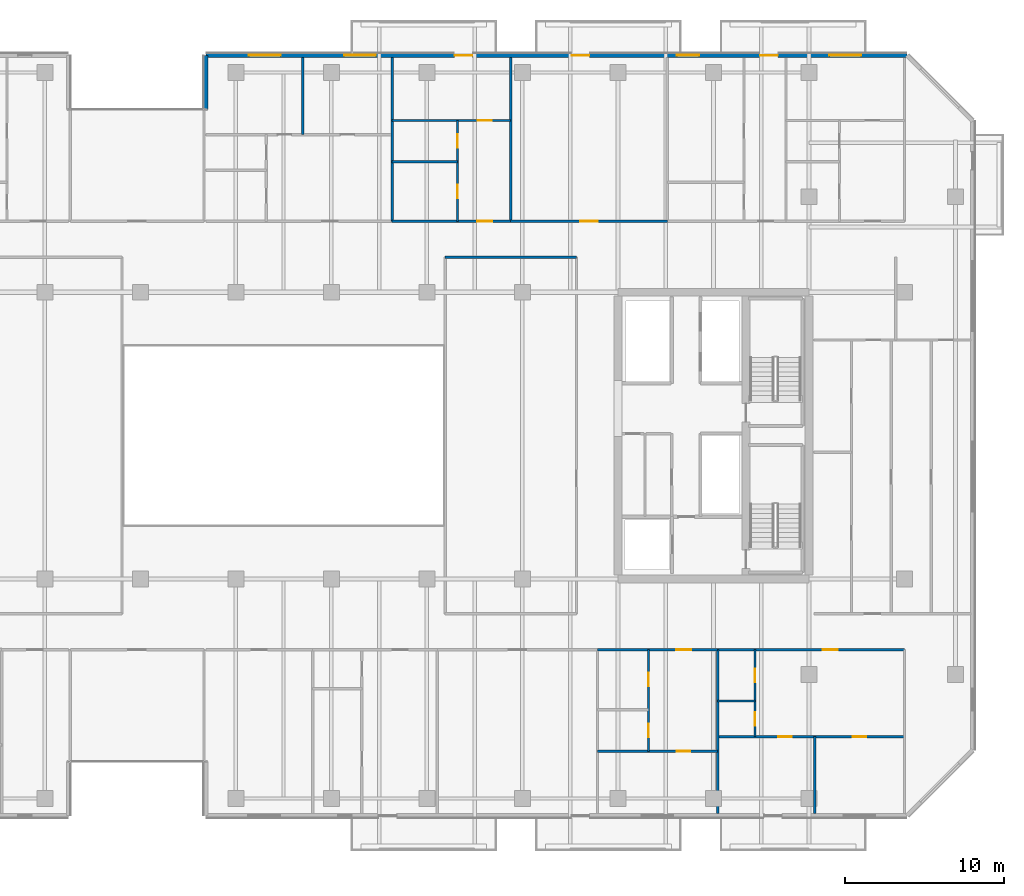
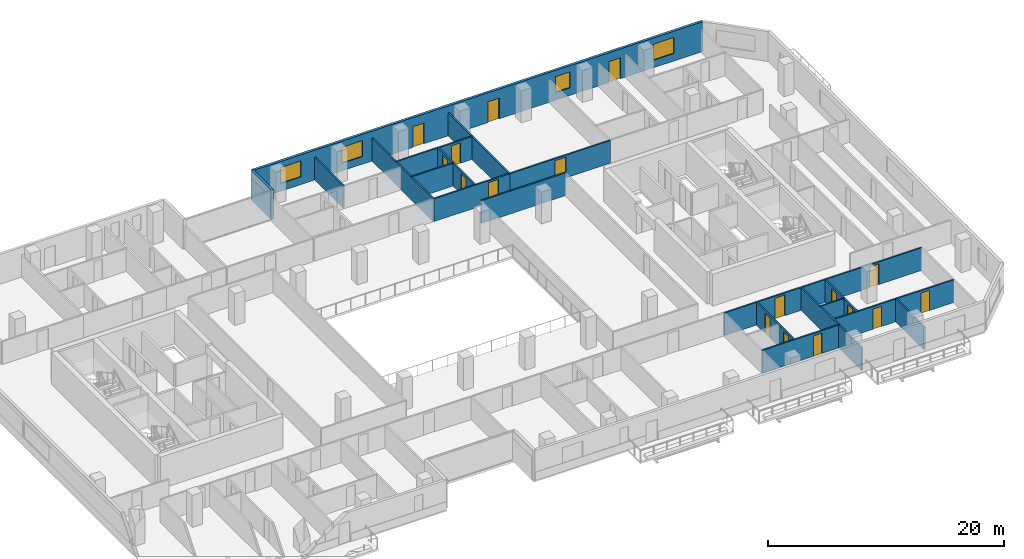
# One storey, part 14 of 23: 20 walls, 17 doors, 4 windows, 21 openings.
"""IFC4 building model written with IfcOpenShell, lengths in metres."""

from ifc_helpers import new_model, si_unit, direction, frame, frame_2d, origin, place, context, subcontext, project, spatial, rectangle, extrude, material, layer, layer_set, type_object, element, fill, save


model = new_model("IFC4")

# Units and contexts
model_context = context("Model", 3, precision=1e-05, world=origin(), true_north=direction((0.0, 1.0)))
body_context = subcontext(model_context, "Body", "Model", "MODEL_VIEW")
ifc_project = project(units=[si_unit("LENGTHUNIT", "METRE"), si_unit("AREAUNIT", "SQUARE_METRE"), si_unit("VOLUMEUNIT", "CUBIC_METRE"), si_unit("PLANEANGLEUNIT", "RADIAN"), si_unit("MASSUNIT", "GRAM", prefix="KILO")], contexts=[model_context])

# Site, building, storey
site_placement = place(None, origin())
site = spatial("IfcSite", under=ifc_project, at=site_placement, CompositionType="ELEMENT")
building_placement = place(site_placement, origin())
building = spatial("IfcBuilding", under=site, at=building_placement, Name="Tanjung Sevakor Pilgrim Tower", CompositionType="ELEMENT")
storey_placement = place(building_placement, frame((0.0, 0.0, 82.169921875)))
storey = spatial("IfcBuildingStorey", under=building, at=storey_placement, Name="L22", CompositionType="ELEMENT", Elevation=82.169921875)

# Walls
ifc_material_1 = material(Name="Concrete C40/50", Category="concrete")
ifc_layer_1 = layer(ifc_material_1, 0.14990234375)
ifc_layer_set_1 = layer_set([ifc_layer_1], Name="WT-COMP-150")
wall_type_1 = type_object("IfcWallType", Name="WT-COMP-150", PredefinedType="SOLIDWALL", material=ifc_layer_set_1)
wall_1_placement = place(storey_placement, frame((67.14990234375, 44.800048828125, 0.0), z_axis=(0.0, 0.0, 1.0), x_axis=(1.0, 0.0, 0.0)))
element("IfcWall", 1, at=wall_1_placement, inside=storey, type_object=wall_type_1, Name="L22 Partition IW-L22-030", PredefinedType="SOLIDWALL", context=body_context, shape_type="SweptSolid", body=[
    extrude(rectangle(XDim=8.25, YDim=0.14990234375, at=frame_2d((4.125, 0.0))), origin(), (0.0, 0.0, 1.0), 2.35009765625),
])
wall_2_placement = place(storey_placement, frame((84.261474609375, 9.85009765625, 0.0), z_axis=(0.0, 0.0, 1.0), x_axis=(0.0, 1.0, 0.0)))
element("IfcWall", 2, at=wall_2_placement, inside=storey, type_object=wall_type_1, Name="L22 Partition IW-L22-069", PredefinedType="SOLIDWALL", context=body_context, shape_type="SweptSolid", body=[
    extrude(rectangle(XDim=10.2998046875, YDim=0.14990234375, at=frame_2d((5.14990234375, 0.0))), origin(), (0.0, 0.0, 1.0), 2.35009765625),
])

# Wall, opening, door
wall_3_placement = place(storey_placement, frame((76.715087890625, 20.14990234375, 0.0), z_axis=(0.0, 0.0, 1.0), x_axis=(1.0, 0.0, 0.0)))
wall_3 = element("IfcWall", 3, at=wall_3_placement, inside=storey, type_object=wall_type_1, Name="L22 Partition IW-L22-073", PredefinedType="SOLIDWALL", context=body_context, shape_type="SweptSolid", body=[
    extrude(rectangle(XDim=7.54638671875, YDim=0.14990234375, at=frame_2d((3.773193359375, 0.0))), origin(), (0.0, 0.0, 1.0), 2.35009765625),
])
opening_1_placement = place(wall_3_placement, frame((4.9404296875, 0.0, 0.0)))
opening_1 = element("IfcOpeningElement", 4, at=opening_1_placement, cuts=wall_3, Name="Opening ID-FD2", PredefinedType="OPENING", context=body_context, shape_type="SweptSolid", body=[
    extrude(rectangle(XDim=0.949951171875, YDim=2.14990234375, at=frame_2d((0.47509765625, 1.074951171875))), frame((0.0, 0.0849609375, 0.0), z_axis=(0.0, -1.0, 0.0), x_axis=(1.0, 0.0, 0.0)), (0.0, 0.0, 1.0), 0.169921875),
])
ifc_material_2 = material(Name="Fire-Rated Timber", Category="wood")
door_type_1 = type_object("IfcDoorType", Name="DT-FIRE-950", OperationType="NOTDEFINED", PredefinedType="DOOR", material=ifc_material_2)
door_1_placement = place(opening_1_placement, origin())
door_1 = element("IfcDoor", 5, at=door_1_placement, inside=storey, type_object=door_type_1, Name="Residence Entrance", OperationType="SINGLE_SWING_RIGHT", OverallHeight=2.14990234375, OverallWidth=0.949951171875, PredefinedType="DOOR", context=body_context, shape_type="SweptSolid", body=[
    extrude(rectangle(XDim=0.949951171875, YDim=2.14990234375, at=frame_2d((0.47509765625, 1.074951171875))), frame((0.0, 0.02490234375, 0.0), z_axis=(0.0, -1.0, 0.0), x_axis=(1.0, 0.0, 0.0)), (0.0, 0.0, 1.0), 0.050048828125),
])
fill(opening_1, door_1)

wall_4_placement = place(storey_placement, frame((84.261474609375, 20.14990234375, 0.0), z_axis=(0.0, 0.0, 1.0), x_axis=(1.0, 0.0, 0.0)))
wall_4 = element("IfcWall", 6, at=wall_4_placement, inside=storey, type_object=wall_type_1, Name="L22 Partition IW-L22-078", PredefinedType="SOLIDWALL", context=body_context, shape_type="SweptSolid", body=[
    extrude(rectangle(XDim=11.738525390625, YDim=0.14990234375, at=frame_2d((5.869140625, 0.0))), origin(), (0.0, 0.0, 1.0), 2.35009765625),
])
opening_2_placement = place(wall_4_placement, frame((6.609375, 0.0, 0.0)))
opening_2 = element("IfcOpeningElement", 7, at=opening_2_placement, cuts=wall_4, Name="Opening ID-FD2", PredefinedType="OPENING", context=body_context, shape_type="SweptSolid", body=[
    extrude(rectangle(XDim=0.949951171875, YDim=2.14990234375, at=frame_2d((0.47509765625, 1.074951171875))), frame((0.0, 0.0849609375, 0.0), z_axis=(0.0, -1.0, 0.0), x_axis=(1.0, 0.0, 0.0)), (0.0, 0.0, 1.0), 0.169921875),
])
door_2_placement = place(opening_2_placement, origin())
door_2 = element("IfcDoor", 8, at=door_2_placement, inside=storey, type_object=door_type_1, Name="Suite Entrance", OperationType="SINGLE_SWING_LEFT", OverallHeight=2.14990234375, OverallWidth=0.949951171875, PredefinedType="DOOR", context=body_context, shape_type="SweptSolid", body=[
    extrude(rectangle(XDim=0.949951171875, YDim=2.14990234375, at=frame_2d((0.47509765625, 1.074951171875))), frame((0.0, 0.02490234375, 0.0), z_axis=(0.0, -1.0, 0.0), x_axis=(1.0, 0.0, 0.0)), (0.0, 0.0, 1.0), 0.050048828125),
])
fill(opening_2, door_2)

# Walls
for number, where, z_axis, x_axis, name in (
    (9, (63.8212890625, 47.050048828125, 0.0), (0.0, 0.0, 1.0), (0.0, 1.0, 0.0), "L22 Partition IW-L22-091"),
    (10, (71.267578125, 47.050048828125, 0.0), (0.0, 0.0, 1.0), (0.0, 1.0, 0.0), "L22 Partition IW-L22-097"),
):
    element("IfcWall", number, at=place(storey_placement, frame(where, z_axis=z_axis, x_axis=x_axis)), inside=storey, type_object=wall_type_1, Name=name, PredefinedType="SOLIDWALL", context=body_context, shape_type="SweptSolid", body=[
        extrude(rectangle(XDim=10.300048828125, YDim=0.14990234375, at=frame_2d((5.14990234375, 0.0))), origin(), (0.0, 0.0, 1.0), 2.35009765625),
    ])

# Wall, opening, door
wall_5_placement = place(storey_placement, frame((63.8212890625, 47.050048828125, 0.0), z_axis=(0.0, 0.0, 1.0), x_axis=(1.0, 0.0, 0.0)))
wall_5 = element("IfcWall", 11, at=wall_5_placement, inside=storey, type_object=wall_type_1, Name="L22 Partition IW-L22-101", PredefinedType="SOLIDWALL", context=body_context, shape_type="SweptSolid", body=[
    extrude(rectangle(XDim=7.4462890625, YDim=0.14990234375, at=frame_2d((3.72314453125, 0.0))), origin(), (0.0, 0.0, 1.0), 2.35009765625),
])
opening_3_placement = place(wall_5_placement, frame((5.33740234375, 0.0, 0.0)))
opening_3 = element("IfcOpeningElement", 12, at=opening_3_placement, cuts=wall_5, Name="Opening ID-FD2", PredefinedType="OPENING", context=body_context, shape_type="SweptSolid", body=[
    extrude(rectangle(XDim=0.949951171875, YDim=2.14990234375, at=frame_2d((0.47509765625, 1.074951171875))), frame((0.0, 0.0849609375, 0.0), z_axis=(0.0, -1.0, 0.0), x_axis=(1.0, 0.0, 0.0)), (0.0, 0.0, 1.0), 0.169921875),
])
door_3_placement = place(opening_3_placement, origin())
door_3 = element("IfcDoor", 13, at=door_3_placement, inside=storey, type_object=door_type_1, Name="Residence Entrance", OperationType="SINGLE_SWING_RIGHT", OverallHeight=2.14990234375, OverallWidth=0.949951171875, PredefinedType="DOOR", context=body_context, shape_type="SweptSolid", body=[
    extrude(rectangle(XDim=0.949951171875, YDim=2.14990234375, at=frame_2d((0.47509765625, 1.074951171875))), frame((0.0, 0.02490234375, 0.0), z_axis=(0.0, -1.0, 0.0), x_axis=(1.0, 0.0, 0.0)), (0.0, 0.0, 1.0), 0.050048828125),
])
fill(opening_3, door_3)

wall_6_placement = place(storey_placement, frame((71.267578125, 47.050048828125, 0.0), z_axis=(0.0, 0.0, 1.0), x_axis=(1.0, 0.0, 0.0)))
wall_6 = element("IfcWall", 14, at=wall_6_placement, inside=storey, type_object=wall_type_1, Name="L22 Partition IW-L22-103", PredefinedType="SOLIDWALL", context=body_context, shape_type="SweptSolid", body=[
    extrude(rectangle(XDim=9.83984375, YDim=0.14990234375, at=frame_2d((4.919921875, 0.0))), origin(), (0.0, 0.0, 1.0), 2.35009765625),
])
opening_4_placement = place(wall_6_placement, frame((4.369873046875, 0.0, 0.0)))
opening_4 = element("IfcOpeningElement", 15, at=opening_4_placement, cuts=wall_6, Name="Opening ID-FD0", PredefinedType="OPENING", context=body_context, shape_type="SweptSolid", body=[
    extrude(rectangle(XDim=1.10009765625, YDim=2.14990234375, at=frame_2d((0.550048828125, 1.074951171875))), frame((0.0, 0.0849609375, 0.0), z_axis=(0.0, -1.0, 0.0), x_axis=(1.0, 0.0, 0.0)), (0.0, 0.0, 1.0), 0.169921875),
])
ifc_material_3 = material(Name="Fire-Rated Steel S355J2", Category="steel")
door_type_2 = type_object("IfcDoorType", Name="DT-FIRE-1100", OperationType="NOTDEFINED", PredefinedType="DOOR", material=ifc_material_3)
door_4_placement = place(opening_4_placement, origin())
door_4 = element("IfcDoor", 16, at=door_4_placement, inside=storey, type_object=door_type_2, Name="Seminar Room Door", OperationType="SINGLE_SWING_LEFT", OverallHeight=2.14990234375, OverallWidth=1.10009765625, PredefinedType="DOOR", context=body_context, shape_type="SweptSolid", body=[
    extrude(rectangle(XDim=1.10009765625, YDim=2.14990234375, at=frame_2d((0.550048828125, 1.074951171875))), frame((0.0, 0.02490234375, 0.0), z_axis=(0.0, -1.0, 0.0), x_axis=(1.0, 0.0, 0.0)), (0.0, 0.0, 1.0), 0.050048828125),
])
fill(opening_4, door_4)

# Wall, openings, doors, windows
ifc_material_4 = material(Name="Precast concrete C45/55", Category="concrete")
ifc_layer_2 = layer(ifc_material_4, 0.25)
ifc_layer_set_2 = layer_set([ifc_layer_2], Name="WT-EW-STN3")
wall_type_2 = type_object("IfcWallType", Name="WT-EW-STN3", PredefinedType="SOLIDWALL", material=ifc_layer_set_2)
wall_7_placement = place(storey_placement, frame((96.148193359375, 57.47509765625, 0.0), z_axis=(0.0, 0.0, 1.0), x_axis=(-1.0, 0.0, 0.0)))
wall_7 = element("IfcWall", 17, at=wall_7_placement, inside=storey, type_object=wall_type_2, Name="L22 MAIN Exterior Wall 9", PredefinedType="SOLIDWALL", context=body_context, shape_type="SweptSolid", body=[
    extrude(rectangle(XDim=44.023193359375, YDim=0.25, at=frame_2d((22.01171875, 0.0))), origin(), (0.0, 0.0, 1.0), 3.080078125),
])
opening_5_placement = place(wall_7_placement, frame((27.298095703125, 0.0, 0.0)))
opening_5 = element("IfcOpeningElement", 18, at=opening_5_placement, cuts=wall_7, Name="Opening ED-BAL-1100", PredefinedType="OPENING", context=body_context, shape_type="SweptSolid", body=[
    extrude(rectangle(XDim=1.10009765625, YDim=2.14990234375, at=frame_2d((0.550048828125, 1.074951171875))), frame((0.0, 0.135009765625, 0.0), z_axis=(0.0, -1.0, 0.0), x_axis=(1.0, 0.0, 0.0)), (0.0, 0.0, 1.0), 0.27001953125),
])
opening_6_placement = place(wall_7_placement, frame((19.9482421875, 0.0, 0.0)))
opening_6 = element("IfcOpeningElement", 19, at=opening_6_placement, cuts=wall_7, Name="Opening ED-BAL-1100", PredefinedType="OPENING", context=body_context, shape_type="SweptSolid", body=[
    extrude(rectangle(XDim=1.10009765625, YDim=2.14990234375, at=frame_2d((0.550048828125, 1.074951171875))), frame((0.0, 0.135009765625, 0.0), z_axis=(0.0, -1.0, 0.0), x_axis=(1.0, 0.0, 0.0)), (0.0, 0.0, 1.0), 0.27001953125),
])
opening_7_placement = place(wall_7_placement, frame((8.09814453125, 0.0, 0.0)))
opening_7 = element("IfcOpeningElement", 20, at=opening_7_placement, cuts=wall_7, Name="Opening ED-BAL-1100", PredefinedType="OPENING", context=body_context, shape_type="SweptSolid", body=[
    extrude(rectangle(XDim=1.10009765625, YDim=2.14990234375, at=frame_2d((0.550048828125, 1.074951171875))), frame((0.0, 0.135009765625, 0.0), z_axis=(0.0, -1.0, 0.0), x_axis=(1.0, 0.0, 0.0)), (0.0, 0.0, 1.0), 0.27001953125),
])
opening_8_placement = place(wall_7_placement, frame((39.3359375, 0.0, 0.780029296875)))
opening_8 = element("IfcOpeningElement", 21, at=opening_8_placement, cuts=wall_7, Name="Opening WN-Z2-1660", PredefinedType="OPENING", context=body_context, shape_type="SweptSolid", body=[
    extrude(rectangle(XDim=2.0, YDim=1.659912109375, at=frame_2d((1.0, 0.830078125))), frame((0.0, 0.135009765625, 0.0), z_axis=(0.0, -1.0, 0.0), x_axis=(1.0, 0.0, 0.0)), (0.0, 0.0, 1.0), 0.27001953125),
])
opening_9_placement = place(wall_7_placement, frame((33.34521484375, 0.0, 0.780029296875)))
opening_9 = element("IfcOpeningElement", 22, at=opening_9_placement, cuts=wall_7, Name="Opening WN-Z2-1660", PredefinedType="OPENING", context=body_context, shape_type="SweptSolid", body=[
    extrude(rectangle(XDim=2.0, YDim=1.659912109375, at=frame_2d((1.0, 0.830078125))), frame((0.0, 0.135009765625, 0.0), z_axis=(0.0, -1.0, 0.0), x_axis=(1.0, 0.0, 0.0)), (0.0, 0.0, 1.0), 0.27001953125),
])
opening_10_placement = place(wall_7_placement, frame((13.04443359375, 0.0, 0.780029296875)))
opening_10 = element("IfcOpeningElement", 23, at=opening_10_placement, cuts=wall_7, Name="Opening WN-END", PredefinedType="OPENING", context=body_context, shape_type="SweptSolid", body=[
    extrude(rectangle(XDim=1.39990234375, YDim=1.64990234375, at=frame_2d((0.699951171875, 0.824951171875))), frame((0.0, 0.135009765625, 0.0), z_axis=(0.0, -1.0, 0.0), x_axis=(1.0, 0.0, 0.0)), (0.0, 0.0, 1.0), 0.27001953125),
])
opening_11_placement = place(wall_7_placement, frame((2.871337890625, 0.0, 0.780029296875)))
opening_11 = element("IfcOpeningElement", 24, at=opening_11_placement, cuts=wall_7, Name="Opening WN-Z2-1660", PredefinedType="OPENING", context=body_context, shape_type="SweptSolid", body=[
    extrude(rectangle(XDim=2.0, YDim=1.659912109375, at=frame_2d((1.0, 0.830078125))), frame((0.0, 0.135009765625, 0.0), z_axis=(0.0, -1.0, 0.0), x_axis=(1.0, 0.0, 0.0)), (0.0, 0.0, 1.0), 0.27001953125),
])
ifc_material_5 = material(Name="Anodised Aluminium and Laminated Glass", Category="aluminium")
door_type_3 = type_object("IfcDoorType", Name="DTYP-ED-BAL-1100", OperationType="NOTDEFINED", PredefinedType="DOOR", material=ifc_material_5)
door_5_placement = place(opening_5_placement, frame((1.10009765625, 0.0, 0.0), z_axis=(0.0, 0.0, 1.0), x_axis=(-1.0, 0.0, 0.0)))
door_5 = element("IfcDoor", 25, at=door_5_placement, inside=storey, type_object=door_type_3, Name="L22 Balcony Door MAIN-N2", OperationType="SINGLE_SWING_LEFT", OverallHeight=2.14990234375, OverallWidth=1.10009765625, PredefinedType="DOOR", context=body_context, shape_type="SweptSolid", body=[
    extrude(rectangle(XDim=1.10009765625, YDim=2.14990234375, at=frame_2d((0.550048828125, 1.074951171875))), frame((0.0, 0.02490234375, 0.0), z_axis=(0.0, -1.0, 0.0), x_axis=(1.0, 0.0, 0.0)), (0.0, 0.0, 1.0), 0.050048828125),
])
fill(opening_5, door_5)
door_6_placement = place(opening_6_placement, frame((1.10009765625, 0.0, 0.0), z_axis=(0.0, 0.0, 1.0), x_axis=(-1.0, 0.0, 0.0)))
door_6 = element("IfcDoor", 26, at=door_6_placement, inside=storey, type_object=door_type_3, Name="L22 Balcony Door MAIN-N3", OperationType="SINGLE_SWING_RIGHT", OverallHeight=2.14990234375, OverallWidth=1.10009765625, PredefinedType="DOOR", context=body_context, shape_type="SweptSolid", body=[
    extrude(rectangle(XDim=1.10009765625, YDim=2.14990234375, at=frame_2d((0.550048828125, 1.074951171875))), frame((0.0, 0.02490234375, 0.0), z_axis=(0.0, -1.0, 0.0), x_axis=(1.0, 0.0, 0.0)), (0.0, 0.0, 1.0), 0.050048828125),
])
fill(opening_6, door_6)
door_7_placement = place(opening_7_placement, frame((1.10009765625, 0.0, 0.0), z_axis=(0.0, 0.0, 1.0), x_axis=(-1.0, 0.0, 0.0)))
door_7 = element("IfcDoor", 27, at=door_7_placement, inside=storey, type_object=door_type_3, Name="L22 Balcony Door MAIN-N4", OperationType="SINGLE_SWING_LEFT", OverallHeight=2.14990234375, OverallWidth=1.10009765625, PredefinedType="DOOR", context=body_context, shape_type="SweptSolid", body=[
    extrude(rectangle(XDim=1.10009765625, YDim=2.14990234375, at=frame_2d((0.550048828125, 1.074951171875))), frame((0.0, 0.02490234375, 0.0), z_axis=(0.0, -1.0, 0.0), x_axis=(1.0, 0.0, 0.0)), (0.0, 0.0, 1.0), 0.050048828125),
])
fill(opening_7, door_7)
ifc_material_6 = material(Name="Thermally Broken Aluminium and Low-E Glass", Category="aluminium")
window_type_1 = type_object("IfcWindowType", Name="WTYP-WN-END", PartitioningType="SINGLE_PANEL", PredefinedType="WINDOW", material=ifc_material_6)
window_1_placement = place(opening_10_placement, origin())
window_1 = element("IfcWindow", 28, at=window_1_placement, inside=storey, type_object=window_type_1, Name="L22 Facade Window 03", OverallHeight=1.64990234375, OverallWidth=1.39990234375, PartitioningType="SINGLE_PANEL", PredefinedType="WINDOW", context=body_context, shape_type="SweptSolid", body=[
    extrude(rectangle(XDim=1.39990234375, YDim=1.64990234375, at=frame_2d((0.699951171875, 0.824951171875))), frame((0.0, 0.030029296875, 0.0), z_axis=(0.0, -1.0, 0.0), x_axis=(1.0, 0.0, 0.0)), (0.0, 0.0, 1.0), 0.06005859375),
])
fill(opening_10, window_1)
ifc_material_7 = material(Name="Thermally Broken Aluminium and Low-E Glass", Category="aluminium")
window_type_2 = type_object("IfcWindowType", Name="WTYP-WN-Z2-1660", PartitioningType="DOUBLE_PANEL_VERTICAL", PredefinedType="WINDOW", material=ifc_material_7)
window_2_placement = place(opening_8_placement, origin())
window_2 = element("IfcWindow", 29, at=window_2_placement, inside=storey, type_object=window_type_2, Name="L22 Facade Window 01", OverallHeight=1.659912109375, OverallWidth=2.0, PartitioningType="SINGLE_PANEL", PredefinedType="WINDOW", context=body_context, shape_type="SweptSolid", body=[
    extrude(rectangle(XDim=2.0, YDim=1.659912109375, at=frame_2d((1.0, 0.830078125))), frame((0.0, 0.030029296875, 0.0), z_axis=(0.0, -1.0, 0.0), x_axis=(1.0, 0.0, 0.0)), (0.0, 0.0, 1.0), 0.06005859375),
])
fill(opening_8, window_2)
window_3_placement = place(opening_9_placement, origin())
window_3 = element("IfcWindow", 30, at=window_3_placement, inside=storey, type_object=window_type_2, Name="L22 Facade Window 02", OverallHeight=1.659912109375, OverallWidth=2.0, PartitioningType="SINGLE_PANEL", PredefinedType="WINDOW", context=body_context, shape_type="SweptSolid", body=[
    extrude(rectangle(XDim=2.0, YDim=1.659912109375, at=frame_2d((1.0, 0.830078125))), frame((0.0, 0.030029296875, 0.0), z_axis=(0.0, -1.0, 0.0), x_axis=(1.0, 0.0, 0.0)), (0.0, 0.0, 1.0), 0.06005859375),
])
fill(opening_9, window_3)
window_4_placement = place(opening_11_placement, origin())
window_4 = element("IfcWindow", 31, at=window_4_placement, inside=storey, type_object=window_type_2, Name="L22 Facade Window 04", OverallHeight=1.659912109375, OverallWidth=2.0, PartitioningType="SINGLE_PANEL", PredefinedType="WINDOW", context=body_context, shape_type="SweptSolid", body=[
    extrude(rectangle(XDim=2.0, YDim=1.659912109375, at=frame_2d((1.0, 0.830078125))), frame((0.0, 0.030029296875, 0.0), z_axis=(0.0, -1.0, 0.0), x_axis=(1.0, 0.0, 0.0)), (0.0, 0.0, 1.0), 0.06005859375),
])
fill(opening_11, window_4)

# Wall
wall_8_placement = place(storey_placement, frame((52.125, 57.47509765625, 0.0), z_axis=(0.0, 0.0, 1.0), x_axis=(0.0, -1.0, 0.0)))
element("IfcWall", 32, at=wall_8_placement, inside=storey, type_object=wall_type_2, Name="L22 MAIN Exterior Wall 10", PredefinedType="SOLIDWALL", context=body_context, shape_type="SweptSolid", body=[
    extrude(rectangle(XDim=3.400146484375, YDim=0.25, at=frame_2d((1.7001953125, 0.0))), origin(), (0.0, 0.0, 1.0), 3.080078125),
])

# Wall, openings, doors
ifc_material_8 = material(Name="Gypsum Board Partition", Category="gypsum board")
ifc_layer_3 = layer(ifc_material_8, 0.14990234375)
ifc_layer_set_3 = layer_set([ifc_layer_3], Name="WT-PART-150")
wall_type_3 = type_object("IfcWallType", Name="WT-PART-150", PredefinedType="PARTITIONING", material=ifc_layer_set_3)
wall_9_placement = place(storey_placement, frame((79.919921875, 13.75927734375, 0.0), z_axis=(0.0, 0.0, 1.0), x_axis=(0.0, 1.0, 0.0)))
wall_9 = element("IfcWall", 33, at=wall_9_placement, inside=storey, type_object=wall_type_3, Name="L22 Partition IW-L22-071", PredefinedType="PARTITIONING", context=body_context, shape_type="SweptSolid", body=[
    extrude(rectangle(XDim=6.390625, YDim=0.14990234375, at=frame_2d((3.1953125, 0.0))), origin(), (0.0, 0.0, 1.0), 2.35009765625),
])
opening_12_placement = place(wall_9_placement, frame((0.885009765625, 0.0, 0.0)))
opening_12 = element("IfcOpeningElement", 34, at=opening_12_placement, cuts=wall_9, Name="Opening ID-WC1", PredefinedType="OPENING", context=body_context, shape_type="SweptSolid", body=[
    extrude(rectangle(XDim=0.85009765625, YDim=2.10009765625, at=frame_2d((0.425048828125, 1.050048828125))), frame((0.0, 0.0849609375, 0.0), z_axis=(0.0, -1.0, 0.0), x_axis=(1.0, 0.0, 0.0)), (0.0, 0.0, 1.0), 0.169921875),
])
opening_13_placement = place(wall_9_placement, frame((4.080322265625, 0.0, 0.0)))
opening_13 = element("IfcOpeningElement", 35, at=opening_13_placement, cuts=wall_9, Name="Opening ID-WC1", PredefinedType="OPENING", context=body_context, shape_type="SweptSolid", body=[
    extrude(rectangle(XDim=0.85009765625, YDim=2.10009765625, at=frame_2d((0.425048828125, 1.050048828125))), frame((0.0, 0.0849609375, 0.0), z_axis=(0.0, -1.0, 0.0), x_axis=(1.0, 0.0, 0.0)), (0.0, 0.0, 1.0), 0.169921875),
])
ifc_material_9 = material(Name="Moisture-Resistant Timber", Category="wood")
door_type_4 = type_object("IfcDoorType", Name="DT-INT-850", OperationType="NOTDEFINED", PredefinedType="DOOR", material=ifc_material_9)
door_8_placement = place(opening_12_placement, origin())
door_8 = element("IfcDoor", 36, at=door_8_placement, inside=storey, type_object=door_type_4, Name="Residence Bathroom Door", OperationType="SINGLE_SWING_LEFT", OverallHeight=2.10009765625, OverallWidth=0.85009765625, PredefinedType="DOOR", context=body_context, shape_type="SweptSolid", body=[
    extrude(rectangle(XDim=0.85009765625, YDim=2.10009765625, at=frame_2d((0.425048828125, 1.050048828125))), frame((0.0, 0.02490234375, 0.0), z_axis=(0.0, -1.0, 0.0), x_axis=(1.0, 0.0, 0.0)), (0.0, 0.0, 1.0), 0.050048828125),
])
fill(opening_12, door_8)
door_9_placement = place(opening_13_placement, origin())
door_9 = element("IfcDoor", 37, at=door_9_placement, inside=storey, type_object=door_type_4, Name="Residence Kitchenette Door", OperationType="SINGLE_SWING_RIGHT", OverallHeight=2.10009765625, OverallWidth=0.85009765625, PredefinedType="DOOR", context=body_context, shape_type="SweptSolid", body=[
    extrude(rectangle(XDim=0.85009765625, YDim=2.10009765625, at=frame_2d((0.425048828125, 1.050048828125))), frame((0.0, 0.02490234375, 0.0), z_axis=(0.0, -1.0, 0.0), x_axis=(1.0, 0.0, 0.0)), (0.0, 0.0, 1.0), 0.050048828125),
])
fill(opening_13, door_9)

# Wall, opening, door
wall_10_placement = place(storey_placement, frame((76.715087890625, 13.75927734375, 0.0), z_axis=(0.0, 0.0, 1.0), x_axis=(1.0, 0.0, 0.0)))
wall_10 = element("IfcWall", 38, at=wall_10_placement, inside=storey, type_object=wall_type_3, Name="L22 Partition IW-L22-072", PredefinedType="PARTITIONING", context=body_context, shape_type="SweptSolid", body=[
    extrude(rectangle(XDim=7.54638671875, YDim=0.14990234375, at=frame_2d((3.773193359375, 0.0))), origin(), (0.0, 0.0, 1.0), 2.35009765625),
])
opening_14_placement = place(wall_10_placement, frame((4.990478515625, 0.0, 0.0)))
opening_14 = element("IfcOpeningElement", 39, at=opening_14_placement, cuts=wall_10, Name="Opening ID-WC1", PredefinedType="OPENING", context=body_context, shape_type="SweptSolid", body=[
    extrude(rectangle(XDim=0.85009765625, YDim=2.10009765625, at=frame_2d((0.425048828125, 1.050048828125))), frame((0.0, 0.0849609375, 0.0), z_axis=(0.0, -1.0, 0.0), x_axis=(1.0, 0.0, 0.0)), (0.0, 0.0, 1.0), 0.169921875),
])
door_10_placement = place(opening_14_placement, origin())
door_10 = element("IfcDoor", 40, at=door_10_placement, inside=storey, type_object=door_type_4, Name="Residence Bedroom Door", OperationType="SINGLE_SWING_LEFT", OverallHeight=2.10009765625, OverallWidth=0.85009765625, PredefinedType="DOOR", context=body_context, shape_type="SweptSolid", body=[
    extrude(rectangle(XDim=0.85009765625, YDim=2.10009765625, at=frame_2d((0.425048828125, 1.050048828125))), frame((0.0, 0.02490234375, 0.0), z_axis=(0.0, -1.0, 0.0), x_axis=(1.0, 0.0, 0.0)), (0.0, 0.0, 1.0), 0.050048828125),
])
fill(opening_14, door_10)

# Wall
wall_11_placement = place(storey_placement, frame((84.261474609375, 16.92431640625, 0.0), z_axis=(0.0, 0.0, 1.0), x_axis=(1.0, 0.0, 0.0)))
element("IfcWall", 41, at=wall_11_placement, inside=storey, type_object=wall_type_3, Name="L22 Partition IW-L22-074", PredefinedType="PARTITIONING", context=body_context, shape_type="SweptSolid", body=[
    extrude(rectangle(XDim=2.349853515625, YDim=0.14990234375, at=frame_2d((1.1748046875, 0.0))), origin(), (0.0, 0.0, 1.0), 2.35009765625),
])

# Wall, openings, doors
wall_12_placement = place(storey_placement, frame((86.611328125, 14.682861328125, 0.0), z_axis=(0.0, 0.0, 1.0), x_axis=(0.0, 1.0, 0.0)))
wall_12 = element("IfcWall", 42, at=wall_12_placement, inside=storey, type_object=wall_type_3, Name="L22 Partition IW-L22-075", PredefinedType="PARTITIONING", context=body_context, shape_type="SweptSolid", body=[
    extrude(rectangle(XDim=5.467041015625, YDim=0.14990234375, at=frame_2d((2.7333984375, 0.0))), origin(), (0.0, 0.0, 1.0), 2.35009765625),
])
opening_15_placement = place(wall_12_placement, frame((0.69580078125, 0.0, 0.0)))
opening_15 = element("IfcOpeningElement", 43, at=opening_15_placement, cuts=wall_12, Name="Opening ID-WC1", PredefinedType="OPENING", context=body_context, shape_type="SweptSolid", body=[
    extrude(rectangle(XDim=0.85009765625, YDim=2.10009765625, at=frame_2d((0.425048828125, 1.050048828125))), frame((0.0, 0.0849609375, 0.0), z_axis=(0.0, -1.0, 0.0), x_axis=(1.0, 0.0, 0.0)), (0.0, 0.0, 1.0), 0.169921875),
])
opening_16_placement = place(wall_12_placement, frame((3.429443359375, 0.0, 0.0)))
opening_16 = element("IfcOpeningElement", 44, at=opening_16_placement, cuts=wall_12, Name="Opening ID-WC1", PredefinedType="OPENING", context=body_context, shape_type="SweptSolid", body=[
    extrude(rectangle(XDim=0.85009765625, YDim=2.10009765625, at=frame_2d((0.425048828125, 1.050048828125))), frame((0.0, 0.0849609375, 0.0), z_axis=(0.0, -1.0, 0.0), x_axis=(1.0, 0.0, 0.0)), (0.0, 0.0, 1.0), 0.169921875),
])
door_11_placement = place(opening_15_placement, origin())
door_11 = element("IfcDoor", 45, at=door_11_placement, inside=storey, type_object=door_type_4, Name="Suite Bathroom Door", OperationType="SINGLE_SWING_LEFT", OverallHeight=2.10009765625, OverallWidth=0.85009765625, PredefinedType="DOOR", context=body_context, shape_type="SweptSolid", body=[
    extrude(rectangle(XDim=0.85009765625, YDim=2.10009765625, at=frame_2d((0.425048828125, 1.050048828125))), frame((0.0, 0.02490234375, 0.0), z_axis=(0.0, -1.0, 0.0), x_axis=(1.0, 0.0, 0.0)), (0.0, 0.0, 1.0), 0.050048828125),
])
fill(opening_15, door_11)
door_12_placement = place(opening_16_placement, origin())
door_12 = element("IfcDoor", 46, at=door_12_placement, inside=storey, type_object=door_type_4, Name="Suite Kitchenette Door", OperationType="SINGLE_SWING_RIGHT", OverallHeight=2.10009765625, OverallWidth=0.85009765625, PredefinedType="DOOR", context=body_context, shape_type="SweptSolid", body=[
    extrude(rectangle(XDim=0.85009765625, YDim=2.10009765625, at=frame_2d((0.425048828125, 1.050048828125))), frame((0.0, 0.02490234375, 0.0), z_axis=(0.0, -1.0, 0.0), x_axis=(1.0, 0.0, 0.0)), (0.0, 0.0, 1.0), 0.050048828125),
])
fill(opening_16, door_12)

# Wall
wall_13_placement = place(storey_placement, frame((90.365478515625, 9.85009765625, 0.0), z_axis=(0.0, 0.0, 1.0), x_axis=(0.0, 1.0, 0.0)))
element("IfcWall", 47, at=wall_13_placement, inside=storey, type_object=wall_type_3, Name="L22 Partition IW-L22-076", PredefinedType="PARTITIONING", context=body_context, shape_type="SweptSolid", body=[
    extrude(rectangle(XDim=4.832763671875, YDim=0.14990234375, at=frame_2d((2.41650390625, 0.0))), origin(), (0.0, 0.0, 1.0), 2.35009765625),
])

# Wall, openings, doors
wall_14_placement = place(storey_placement, frame((84.261474609375, 14.682861328125, 0.0), z_axis=(0.0, 0.0, 1.0), x_axis=(1.0, 0.0, 0.0)))
wall_14 = element("IfcWall", 48, at=wall_14_placement, inside=storey, type_object=wall_type_3, Name="L22 Partition IW-L22-077", PredefinedType="PARTITIONING", context=body_context, shape_type="SweptSolid", body=[
    extrude(rectangle(XDim=11.738525390625, YDim=0.14990234375, at=frame_2d((5.869140625, 0.0))), origin(), (0.0, 0.0, 1.0), 2.35009765625),
])
opening_17_placement = place(wall_14_placement, frame((3.802001953125, 0.0, 0.0)))
opening_17 = element("IfcOpeningElement", 49, at=opening_17_placement, cuts=wall_14, Name="Opening ID-WC1", PredefinedType="OPENING", context=body_context, shape_type="SweptSolid", body=[
    extrude(rectangle(XDim=0.85009765625, YDim=2.10009765625, at=frame_2d((0.425048828125, 1.050048828125))), frame((0.0, 0.0849609375, 0.0), z_axis=(0.0, -1.0, 0.0), x_axis=(1.0, 0.0, 0.0)), (0.0, 0.0, 1.0), 0.169921875),
])
opening_18_placement = place(wall_14_placement, frame((8.496337890625, 0.0, 0.0)))
opening_18 = element("IfcOpeningElement", 50, at=opening_18_placement, cuts=wall_14, Name="Opening ID-WC1", PredefinedType="OPENING", context=body_context, shape_type="SweptSolid", body=[
    extrude(rectangle(XDim=0.85009765625, YDim=2.10009765625, at=frame_2d((0.425048828125, 1.050048828125))), frame((0.0, 0.0849609375, 0.0), z_axis=(0.0, -1.0, 0.0), x_axis=(1.0, 0.0, 0.0)), (0.0, 0.0, 1.0), 0.169921875),
])
door_13_placement = place(opening_17_placement, origin())
door_13 = element("IfcDoor", 51, at=door_13_placement, inside=storey, type_object=door_type_4, Name="Suite Bedroom 1 Door", OperationType="SINGLE_SWING_LEFT", OverallHeight=2.10009765625, OverallWidth=0.85009765625, PredefinedType="DOOR", context=body_context, shape_type="SweptSolid", body=[
    extrude(rectangle(XDim=0.85009765625, YDim=2.10009765625, at=frame_2d((0.425048828125, 1.050048828125))), frame((0.0, 0.02490234375, 0.0), z_axis=(0.0, -1.0, 0.0), x_axis=(1.0, 0.0, 0.0)), (0.0, 0.0, 1.0), 0.050048828125),
])
fill(opening_17, door_13)
door_14_placement = place(opening_18_placement, origin())
door_14 = element("IfcDoor", 52, at=door_14_placement, inside=storey, type_object=door_type_4, Name="Suite Bedroom 2 Door", OperationType="SINGLE_SWING_RIGHT", OverallHeight=2.10009765625, OverallWidth=0.85009765625, PredefinedType="DOOR", context=body_context, shape_type="SweptSolid", body=[
    extrude(rectangle(XDim=0.85009765625, YDim=2.10009765625, at=frame_2d((0.425048828125, 1.050048828125))), frame((0.0, 0.02490234375, 0.0), z_axis=(0.0, -1.0, 0.0), x_axis=(1.0, 0.0, 0.0)), (0.0, 0.0, 1.0), 0.050048828125),
])
fill(opening_18, door_14)

# Walls
wall_15_placement = place(storey_placement, frame((58.20458984375, 52.501708984375, 0.0), z_axis=(0.0, 0.0, 1.0), x_axis=(0.0, 1.0, 0.0)))
element("IfcWall", 53, at=wall_15_placement, inside=storey, type_object=wall_type_3, Name="L22 Partition IW-L22-094", PredefinedType="PARTITIONING", context=body_context, shape_type="SweptSolid", body=[
    extrude(rectangle(XDim=4.848388671875, YDim=0.14990234375, at=frame_2d((2.42431640625, 0.0))), origin(), (0.0, 0.0, 1.0), 2.35009765625),
])
wall_16_placement = place(storey_placement, frame((63.8212890625, 50.78955078125, 0.0), z_axis=(0.0, 0.0, 1.0), x_axis=(1.0, 0.0, 0.0)))
element("IfcWall", 54, at=wall_16_placement, inside=storey, type_object=wall_type_3, Name="L22 Partition IW-L22-098", PredefinedType="PARTITIONING", context=body_context, shape_type="SweptSolid", body=[
    extrude(rectangle(XDim=4.0986328125, YDim=0.14990234375, at=frame_2d((2.04931640625, 0.0))), origin(), (0.0, 0.0, 1.0), 2.35009765625),
])

# Wall, openings, doors
wall_17_placement = place(storey_placement, frame((67.919921875, 47.050048828125, 0.0), z_axis=(0.0, 0.0, 1.0), x_axis=(0.0, 1.0, 0.0)))
wall_17 = element("IfcWall", 55, at=wall_17_placement, inside=storey, type_object=wall_type_3, Name="L22 Partition IW-L22-099", PredefinedType="PARTITIONING", context=body_context, shape_type="SweptSolid", body=[
    extrude(rectangle(XDim=6.338134765625, YDim=0.14990234375, at=frame_2d((3.1689453125, 0.0))), origin(), (0.0, 0.0, 1.0), 2.35009765625),
])
opening_19_placement = place(wall_17_placement, frame((1.44482421875, 0.0, 0.0)))
opening_19 = element("IfcOpeningElement", 56, at=opening_19_placement, cuts=wall_17, Name="Opening ID-WC1", PredefinedType="OPENING", context=body_context, shape_type="SweptSolid", body=[
    extrude(rectangle(XDim=0.85009765625, YDim=2.10009765625, at=frame_2d((0.425048828125, 1.050048828125))), frame((0.0, 0.0849609375, 0.0), z_axis=(0.0, -1.0, 0.0), x_axis=(1.0, 0.0, 0.0)), (0.0, 0.0, 1.0), 0.169921875),
])
opening_20_placement = place(wall_17_placement, frame((4.614013671875, 0.0, 0.0)))
opening_20 = element("IfcOpeningElement", 57, at=opening_20_placement, cuts=wall_17, Name="Opening ID-WC1", PredefinedType="OPENING", context=body_context, shape_type="SweptSolid", body=[
    extrude(rectangle(XDim=0.85009765625, YDim=2.10009765625, at=frame_2d((0.425048828125, 1.050048828125))), frame((0.0, 0.0849609375, 0.0), z_axis=(0.0, -1.0, 0.0), x_axis=(1.0, 0.0, 0.0)), (0.0, 0.0, 1.0), 0.169921875),
])
door_15_placement = place(opening_19_placement, origin())
door_15 = element("IfcDoor", 58, at=door_15_placement, inside=storey, type_object=door_type_4, Name="Residence Kitchenette Door", OperationType="SINGLE_SWING_LEFT", OverallHeight=2.10009765625, OverallWidth=0.85009765625, PredefinedType="DOOR", context=body_context, shape_type="SweptSolid", body=[
    extrude(rectangle(XDim=0.85009765625, YDim=2.10009765625, at=frame_2d((0.425048828125, 1.050048828125))), frame((0.0, 0.02490234375, 0.0), z_axis=(0.0, -1.0, 0.0), x_axis=(1.0, 0.0, 0.0)), (0.0, 0.0, 1.0), 0.050048828125),
])
fill(opening_19, door_15)
door_16_placement = place(opening_20_placement, origin())
door_16 = element("IfcDoor", 59, at=door_16_placement, inside=storey, type_object=door_type_4, Name="Residence Bathroom Door", OperationType="SINGLE_SWING_RIGHT", OverallHeight=2.10009765625, OverallWidth=0.85009765625, PredefinedType="DOOR", context=body_context, shape_type="SweptSolid", body=[
    extrude(rectangle(XDim=0.85009765625, YDim=2.10009765625, at=frame_2d((0.425048828125, 1.050048828125))), frame((0.0, 0.02490234375, 0.0), z_axis=(0.0, -1.0, 0.0), x_axis=(1.0, 0.0, 0.0)), (0.0, 0.0, 1.0), 0.050048828125),
])
fill(opening_20, door_16)

# Wall, opening, door
wall_18_placement = place(storey_placement, frame((63.8212890625, 53.38818359375, 0.0), z_axis=(0.0, 0.0, 1.0), x_axis=(1.0, 0.0, 0.0)))
wall_18 = element("IfcWall", 60, at=wall_18_placement, inside=storey, type_object=wall_type_3, Name="L22 Partition IW-L22-100", PredefinedType="PARTITIONING", context=body_context, shape_type="SweptSolid", body=[
    extrude(rectangle(XDim=7.4462890625, YDim=0.14990234375, at=frame_2d((3.72314453125, 0.0))), origin(), (0.0, 0.0, 1.0), 2.35009765625),
])
opening_21_placement = place(wall_18_placement, frame((5.387451171875, 0.0, 0.0)))
opening_21 = element("IfcOpeningElement", 61, at=opening_21_placement, cuts=wall_18, Name="Opening ID-WC1", PredefinedType="OPENING", context=body_context, shape_type="SweptSolid", body=[
    extrude(rectangle(XDim=0.85009765625, YDim=2.10009765625, at=frame_2d((0.425048828125, 1.050048828125))), frame((0.0, 0.0849609375, 0.0), z_axis=(0.0, -1.0, 0.0), x_axis=(1.0, 0.0, 0.0)), (0.0, 0.0, 1.0), 0.169921875),
])
door_17_placement = place(opening_21_placement, origin())
door_17 = element("IfcDoor", 62, at=door_17_placement, inside=storey, type_object=door_type_4, Name="Residence Bedroom Door", OperationType="SINGLE_SWING_LEFT", OverallHeight=2.10009765625, OverallWidth=0.85009765625, PredefinedType="DOOR", context=body_context, shape_type="SweptSolid", body=[
    extrude(rectangle(XDim=0.85009765625, YDim=2.10009765625, at=frame_2d((0.425048828125, 1.050048828125))), frame((0.0, 0.02490234375, 0.0), z_axis=(0.0, -1.0, 0.0), x_axis=(1.0, 0.0, 0.0)), (0.0, 0.0, 1.0), 0.050048828125),
])
fill(opening_21, door_17)

save(model, "model.ifc")
